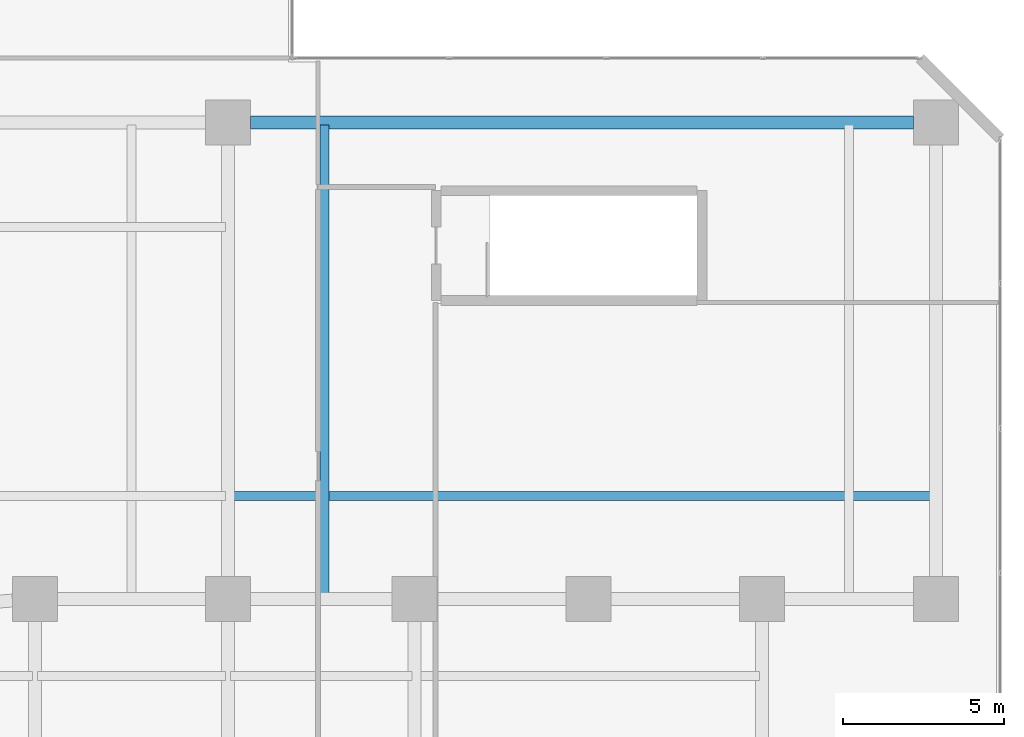
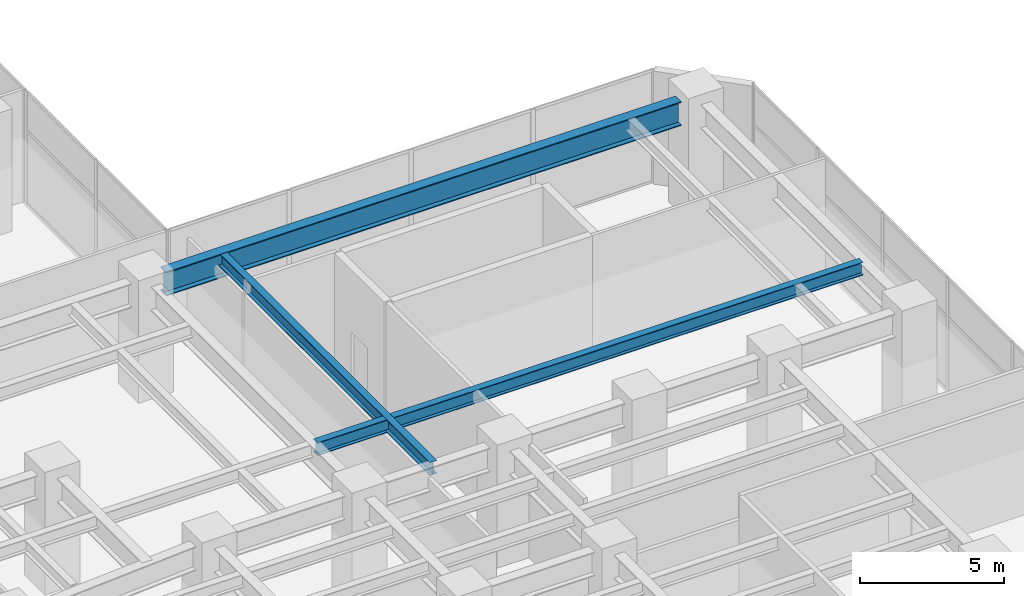
# One storey, part 10 of 29: 3 beams.
"""IFC4 building model written with IfcOpenShell, lengths in metres."""

from ifc_helpers import new_model, si_unit, direction, frame, origin, origin_2d, place, context, subcontext, project, spatial, i_section, extrude, material, material_profile, profile_set, type_object, element, save


model = new_model("IFC4")

# Units and contexts
model_context = context("Model", 3, precision=1e-05, world=origin(), true_north=direction((0.0, 1.0)))
body_context = subcontext(model_context, "Body", "Model", "MODEL_VIEW")
ifc_project = project(units=[si_unit("LENGTHUNIT", "METRE"), si_unit("AREAUNIT", "SQUARE_METRE"), si_unit("VOLUMEUNIT", "CUBIC_METRE"), si_unit("PLANEANGLEUNIT", "RADIAN"), si_unit("MASSUNIT", "GRAM", prefix="KILO")], contexts=[model_context])

# Site, building, storey
site_placement = place(None, origin())
site = spatial("IfcSite", under=ifc_project, at=site_placement, CompositionType="ELEMENT")
building_placement = place(site_placement, origin())
building = spatial("IfcBuilding", under=site, at=building_placement, Name="Mawjaban Terraces University", CompositionType="ELEMENT")
storey_placement = place(building_placement, frame((0.0, 0.0, 20.800048828125)))
storey = spatial("IfcBuildingStorey", under=building, at=storey_placement, Name="L04", CompositionType="ELEMENT", Elevation=20.800048828125)

# Beams
ifc_material_1 = material(Name="Steel ASTM A913 Grade 65", Category="steel")
ifc_material_profile_1 = material_profile(ifc_material_1, i_section(OverallWidth=0.402099609375, OverallDepth=1.011962890625, WebThickness=0.02392578125, FlangeThickness=0.0400390625, at=origin_2d()), Name="W1000X443")
ifc_profile_set_1 = profile_set([ifc_material_profile_1], Name="Steel ASTM A913 Grade 65")
beam_type_1 = type_object("IfcBeamType", Name="Beam_B_W1000X443", PredefinedType="BEAM", material=ifc_profile_set_1)
beam_1_placement = place(storey_placement, frame((52.699951171875, 30.0, 4.27392578125), z_axis=(1.0, 0.0, 0.0), x_axis=(0.0, 1.0, 0.0)))
element("IfcBeam", 1, at=beam_1_placement, inside=storey, type_object=beam_type_1, Name="L04 Beam BM-L04-EW-14", PredefinedType="BEAM", context=body_context, shape_type="SweptSolid", body=[
    extrude(i_section(OverallWidth=0.402099609375, OverallDepth=1.011962890625, WebThickness=0.02392578125, FlangeThickness=0.0400390625, at=origin_2d()), origin(), (0.0, 0.0, 1.0), 20.60009765625),
])
ifc_material_2 = material(Name="Steel ASTM A572 Grade 50", Category="steel")
ifc_material_profile_2 = material_profile(ifc_material_2, i_section(OverallWidth=0.281005859375, OverallDepth=0.551025390625, WebThickness=0.01513671875, FlangeThickness=0.02587890625, at=origin_2d()), Name="W530X182")
ifc_profile_set_2 = profile_set([ifc_material_profile_2], Name="Steel ASTM A572 Grade 50")
beam_type_2 = type_object("IfcBeamType", Name="Beam_J_W530X182", PredefinedType="JOIST", material=ifc_profile_set_2)
beam_2_placement = place(storey_placement, frame((52.080078125, 18.39990234375, 4.50390625), z_axis=(1.0, 0.0, 0.0), x_axis=(0.0, 1.0, 0.0)))
element("IfcBeam", 2, at=beam_2_placement, inside=storey, type_object=beam_type_2, Name="L04 Composite Joist JST-L04-17", PredefinedType="JOIST", context=body_context, shape_type="SweptSolid", body=[
    extrude(i_section(OverallWidth=0.281005859375, OverallDepth=0.551025390625, WebThickness=0.01513671875, FlangeThickness=0.02587890625, at=origin_2d()), origin(), (0.0, 0.0, 1.0), 21.83984375),
])
beam_3_placement = place(storey_placement, frame((55.0, 15.280029296875, 4.50390625), z_axis=(0.0, 1.0, 0.0), x_axis=(-1.0, 0.0, 0.0)))
element("IfcBeam", 3, at=beam_3_placement, inside=storey, type_object=beam_type_2, Name="L04 Composite Joist JST-L04-NS-26", PredefinedType="JOIST", context=body_context, shape_type="SweptSolid", body=[
    extrude(i_section(OverallWidth=0.281005859375, OverallDepth=0.551025390625, WebThickness=0.01513671875, FlangeThickness=0.02587890625, at=origin_2d()), origin(), (0.0, 0.0, 1.0), 14.639892578125),
])

save(model, "model.ifc")
